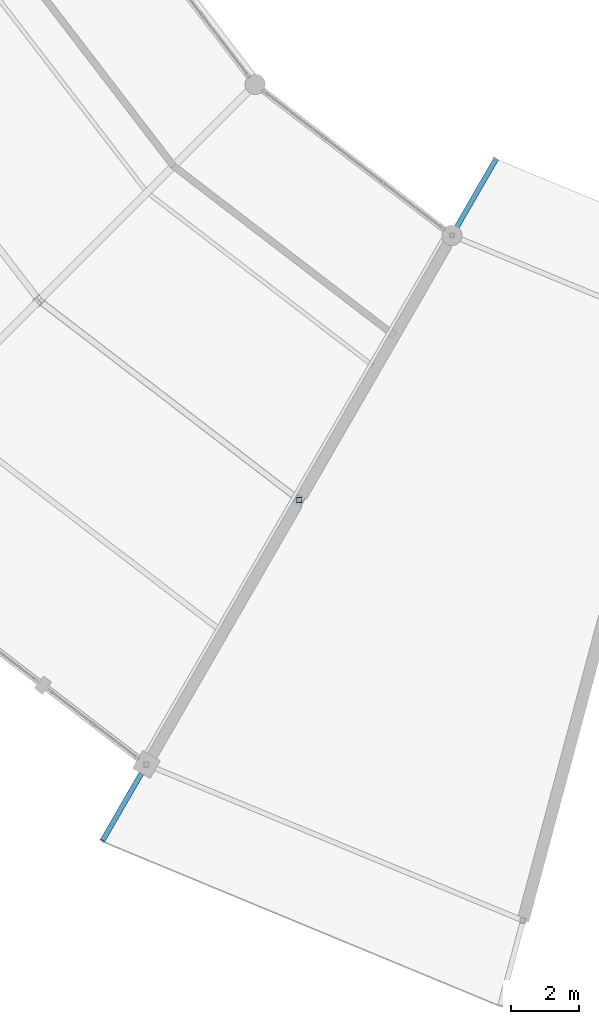
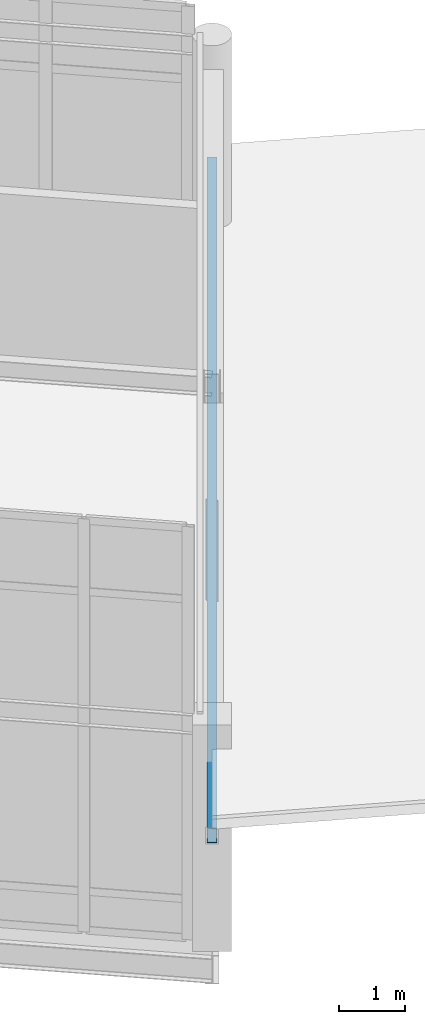
# One storey, part 48 of 185: 2 members.
"""IFC4 building model written with IfcOpenShell, lengths in metres."""

from ifc_helpers import new_model, si_unit, direction, frame, origin, origin_2d, place, context, subcontext, project, spatial, hollow_rectangle, extrude, material, material_profile, profile_set, type_object, element, save


model = new_model("IFC4")

# Units and contexts
model_context = context("Model", 3, precision=1e-05, world=origin(), true_north=direction((0.0, 1.0)))
body_context = subcontext(model_context, "Body", "Model", "MODEL_VIEW")
ifc_project = project(units=[si_unit("LENGTHUNIT", "METRE"), si_unit("AREAUNIT", "SQUARE_METRE"), si_unit("VOLUMEUNIT", "CUBIC_METRE"), si_unit("PLANEANGLEUNIT", "RADIAN"), si_unit("MASSUNIT", "GRAM", prefix="KILO")], contexts=[model_context])

# Site, building, storey
site_placement = place(None, origin())
site = spatial("IfcSite", under=ifc_project, at=site_placement, CompositionType="ELEMENT")
building_placement = place(site_placement, origin())
building = spatial("IfcBuilding", under=site, at=building_placement, Name="Vondelvale Polytechnic", CompositionType="ELEMENT")
storey_placement = place(building_placement, frame((0.0, 0.0, 9.60009765625)))
storey = spatial("IfcBuildingStorey", under=building, at=storey_placement, Name="L02", CompositionType="ELEMENT", Elevation=9.60009765625)

# Members
ifc_material = material(Name="Steel C350L0 (fy = 350 MPa)", Category="steel")
ifc_material_profile_1 = material_profile(ifc_material, hollow_rectangle(XDim=0.14990234375, YDim=0.25, WallThickness=0.006103515625, at=origin_2d()), Name="250x150x6.0RHS")
ifc_profile_set_1 = profile_set([ifc_material_profile_1], Name="Steel C350L0 (fy = 350 MPa)")
member_type_1 = type_object("IfcMemberType", Name="RAFTER RHS250", PredefinedType="RAFTER", material=ifc_profile_set_1)
member_1_placement = place(storey_placement, frame((77.699951171875, 29.9111328125, 3.765625), z_axis=(0.493427802493, 0.85463514825, -0.161640858395), x_axis=(-0.86602366199, 0.500003016864, 0.0)))
element("IfcMember", 1, at=member_1_placement, inside=storey, type_object=member_type_1, Name="Ring inward-sloping rafter 16", PredefinedType="RAFTER", context=body_context, shape_type="SweptSolid", body=[
    extrude(hollow_rectangle(XDim=0.14990234375, YDim=0.25, WallThickness=0.006103515625, at=origin_2d()), origin(), (0.0, 0.0, 1.0), 23.50927734375),
])
ifc_material_profile_2 = material_profile(ifc_material, hollow_rectangle(XDim=0.14990234375, YDim=0.14990234375, WallThickness=0.006103515625, at=origin_2d()), Name="150x150x6.0SHS")
ifc_profile_set_2 = profile_set([ifc_material_profile_2], Name="Steel C350L0 (fy = 350 MPa)")
member_type_2 = type_object("IfcMemberType", Name="ROOF TRUSS POST 150SHS", PredefinedType="POST", material=ifc_profile_set_2)
member_2_placement = place(storey_placement, frame((83.5, 39.95703125, 0.0), z_axis=(0.0, 0.0, 1.0), x_axis=(1.0, 0.0, 0.0)))
element("IfcMember", 2, at=member_2_placement, inside=storey, type_object=member_type_2, Name="Ring mid roof post 16", PredefinedType="POST", context=body_context, shape_type="SweptSolid", body=[
    extrude(hollow_rectangle(XDim=0.14990234375, YDim=0.14990234375, WallThickness=0.006103515625, at=origin_2d()), origin(), (0.0, 0.0, 1.0), 1.86572265625),
])

save(model, "model.ifc")
